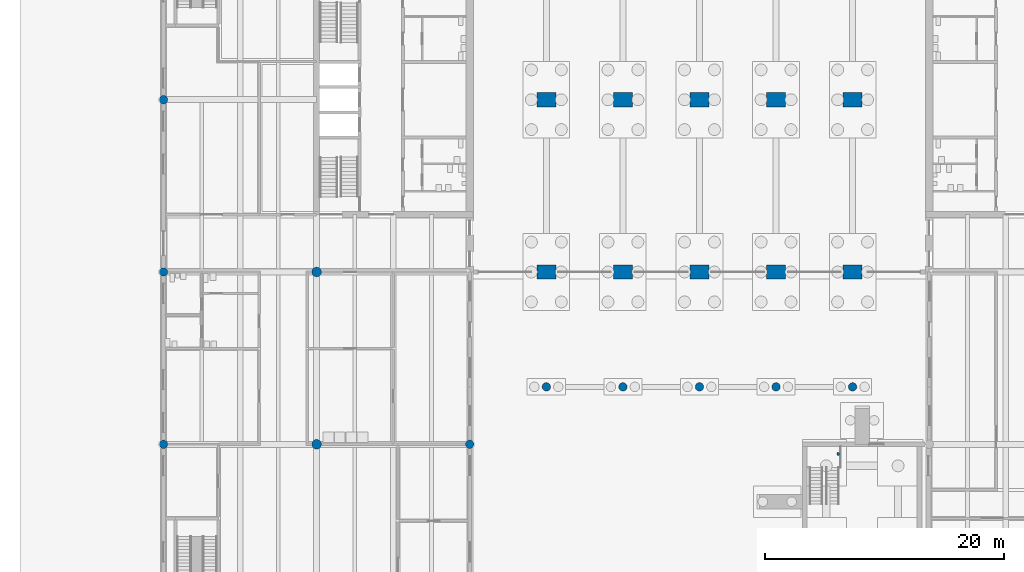
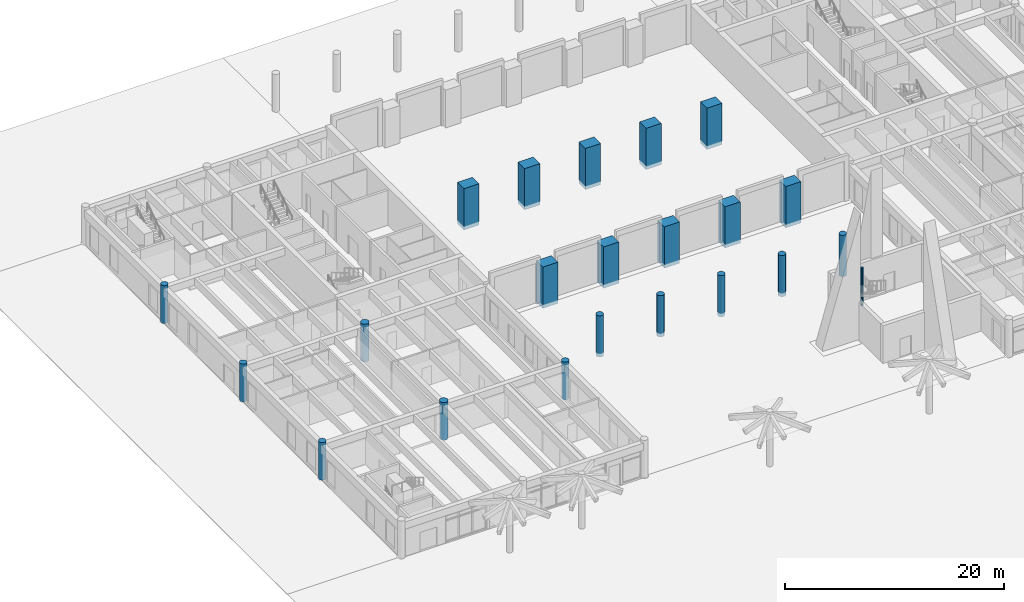
# One storey, part 3 of 28: 22 columns.
"""IFC4 building model written with IfcOpenShell, lengths in metres."""

from ifc_helpers import new_model, si_unit, direction, frame, origin, origin_2d, place, context, subcontext, project, spatial, rectangle, circle, extrude, material, material_profile, profile_set, type_object, element, save


model = new_model("IFC4")

# Units and contexts
model_context = context("Model", 3, precision=1e-05, world=origin(), true_north=direction((0.0, 1.0)))
body_context = subcontext(model_context, "Body", "Model", "MODEL_VIEW")
ifc_project = project(units=[si_unit("LENGTHUNIT", "METRE"), si_unit("AREAUNIT", "SQUARE_METRE"), si_unit("VOLUMEUNIT", "CUBIC_METRE"), si_unit("PLANEANGLEUNIT", "RADIAN"), si_unit("MASSUNIT", "GRAM", prefix="KILO")], contexts=[model_context])

# Site, building, storey
site_placement = place(None, origin())
site = spatial("IfcSite", under=ifc_project, at=site_placement, CompositionType="ELEMENT")
building_placement = place(site_placement, origin())
building = spatial("IfcBuilding", under=site, at=building_placement, Name="Fogon Plaza Fire Station and Headquarters Tower", CompositionType="ELEMENT")
storey_placement = place(building_placement, origin())
storey = spatial("IfcBuildingStorey", under=building, at=storey_placement, Name="L00", CompositionType="ELEMENT", Elevation=0.0)

# Columns
ifc_material_1 = material(Name="Concrete C40", Category="concrete")
ifc_material_profile_1 = material_profile(ifc_material_1, rectangle(XDim=1.60009765625, YDim=1.199951171875, at=origin_2d()), Name="RC 1600x1200")
ifc_profile_set_1 = profile_set([ifc_material_profile_1], Name="Concrete C40")
column_type_1 = type_object("IfcColumnType", Name="COLUMN RC 1600x1200", PredefinedType="PILASTER", material=ifc_profile_set_1)
for number, where, z_axis, x_axis, name in (
    (1, (32.0, 28.800048828125, -0.39990234375), (0.0, 0.0, 1.0), (1.0, 0.0, 0.0), "col-L00-4D"),
    (2, (32.0, 43.199951171875, -0.39990234375), (0.0, 0.0, 1.0), (1.0, 0.0, 0.0), "col-L00-4F"),
    (3, (38.39990234375, 28.800048828125, -0.39990234375), (0.0, 0.0, 1.0), (1.0, 0.0, 0.0), "col-L00-5D"),
    (4, (38.39990234375, 43.199951171875, -0.39990234375), (0.0, 0.0, 1.0), (1.0, 0.0, 0.0), "col-L00-5F"),
    (5, (44.800048828125, 28.800048828125, -0.39990234375), (0.0, 0.0, 1.0), (1.0, 0.0, 0.0), "col-L00-6D"),
    (6, (44.800048828125, 43.199951171875, -0.39990234375), (0.0, 0.0, 1.0), (1.0, 0.0, 0.0), "col-L00-6F"),
    (7, (51.199951171875, 28.800048828125, -0.39990234375), (0.0, 0.0, 1.0), (1.0, 0.0, 0.0), "col-L00-7D"),
    (8, (51.199951171875, 43.199951171875, -0.39990234375), (0.0, 0.0, 1.0), (1.0, 0.0, 0.0), "col-L00-7F"),
    (9, (57.60009765625, 28.800048828125, -0.39990234375), (0.0, 0.0, 1.0), (1.0, 0.0, 0.0), "col-L00-8D"),
    (10, (57.60009765625, 43.199951171875, -0.39990234375), (0.0, 0.0, 1.0), (1.0, 0.0, 0.0), "col-L00-8F"),
):
    element("IfcColumn", number, at=place(storey_placement, frame(where, z_axis=z_axis, x_axis=x_axis)), inside=storey, type_object=column_type_1, Name=name, PredefinedType="PILASTER", context=body_context, shape_type="SweptSolid", body=[
        extrude(rectangle(XDim=1.60009765625, YDim=1.199951171875, at=origin_2d()), origin(), (0.0, 0.0, 1.0), 4.599853515625),
    ])
ifc_material_2 = material(Name="Concrete C40", Category="concrete")
ifc_material_profile_2 = material_profile(ifc_material_2, circle(Radius=0.125, at=origin_2d()), Name="RC D250")
ifc_profile_set_2 = profile_set([ifc_material_profile_2], Name="Concrete C40")
column_type_2 = type_object("IfcColumnType", Name="COLUMN RC D250", PredefinedType="COLUMN", material=ifc_profile_set_2)
column_placement = place(storey_placement, frame((56.39990234375, 13.60009765625, 0.0), z_axis=(0.0, 0.0, 1.0), x_axis=(1.0, 0.0, 0.0)))
element("IfcColumn", 11, at=column_placement, inside=storey, type_object=column_type_2, Name="Drill stair post L00", PredefinedType="COLUMN", context=body_context, shape_type="SweptSolid", body=[
    extrude(circle(Radius=0.125, at=origin_2d()), origin(), (0.0, 0.0, 1.0), 4.199951171875),
])
ifc_material_3 = material(Name="Concrete C40", Category="concrete")
ifc_material_profile_3 = material_profile(ifc_material_3, circle(Radius=0.35009765625, at=origin_2d()), Name="RC D700")
ifc_profile_set_3 = profile_set([ifc_material_profile_3], Name="Concrete C40")
column_type_3 = type_object("IfcColumnType", Name="COLUMN RC D700", PredefinedType="COLUMN", material=ifc_profile_set_3)
for number, where, z_axis, x_axis, name in (
    (12, (0.0, 14.39990234375, 0.0), (0.0, 0.0, 1.0), (1.0, 0.0, 0.0), "col-L00-1B"),
    (13, (0.0, 28.800048828125, 0.0), (0.0, 0.0, 1.0), (1.0, 0.0, 0.0), "col-L00-1D"),
    (14, (0.0, 43.199951171875, 0.0), (0.0, 0.0, 1.0), (1.0, 0.0, 0.0), "col-L00-1F"),
    (15, (25.60009765625, 14.39990234375, 0.0), (0.0, 0.0, 1.0), (1.0, 0.0, 0.0), "col-L00-3B"),
):
    element("IfcColumn", number, at=place(storey_placement, frame(where, z_axis=z_axis, x_axis=x_axis)), inside=storey, type_object=column_type_3, Name=name, PredefinedType="COLUMN", context=body_context, shape_type="SweptSolid", body=[
        extrude(circle(Radius=0.35009765625, at=origin_2d()), origin(), (0.0, 0.0, 1.0), 4.199951171875),
    ])
for number, where, z_axis, x_axis, name in (
    (16, (32.0, 19.199951171875, -0.39990234375), (0.0, 0.0, 1.0), (1.0, 0.0, 0.0), "col-L00-CR4"),
    (17, (38.39990234375, 19.199951171875, -0.39990234375), (0.0, 0.0, 1.0), (1.0, 0.0, 0.0), "col-L00-CR5"),
    (18, (44.800048828125, 19.199951171875, -0.39990234375), (0.0, 0.0, 1.0), (1.0, 0.0, 0.0), "col-L00-CR6"),
    (19, (51.199951171875, 19.199951171875, -0.39990234375), (0.0, 0.0, 1.0), (1.0, 0.0, 0.0), "col-L00-CR7"),
    (20, (57.60009765625, 19.199951171875, -0.39990234375), (0.0, 0.0, 1.0), (1.0, 0.0, 0.0), "col-L00-CR8"),
):
    element("IfcColumn", number, at=place(storey_placement, frame(where, z_axis=z_axis, x_axis=x_axis)), inside=storey, type_object=column_type_3, Name=name, PredefinedType="COLUMN", context=body_context, shape_type="SweptSolid", body=[
        extrude(circle(Radius=0.35009765625, at=origin_2d()), origin(), (0.0, 0.0, 1.0), 4.599853515625),
    ])
ifc_material_4 = material(Name="Concrete C40", Category="concrete")
ifc_material_profile_4 = material_profile(ifc_material_4, circle(Radius=0.39990234375, at=origin_2d()), Name="RC D800")
ifc_profile_set_4 = profile_set([ifc_material_profile_4], Name="Concrete C40")
column_type_4 = type_object("IfcColumnType", Name="COLUMN RC D800", PredefinedType="COLUMN", material=ifc_profile_set_4)
for number, where, z_axis, x_axis, name in (
    (21, (12.800048828125, 14.39990234375, 0.0), (0.0, 0.0, 1.0), (1.0, 0.0, 0.0), "col-L00-2B"),
    (22, (12.800048828125, 28.800048828125, 0.0), (0.0, 0.0, 1.0), (1.0, 0.0, 0.0), "col-L00-2D"),
):
    element("IfcColumn", number, at=place(storey_placement, frame(where, z_axis=z_axis, x_axis=x_axis)), inside=storey, type_object=column_type_4, Name=name, PredefinedType="COLUMN", context=body_context, shape_type="SweptSolid", body=[
        extrude(circle(Radius=0.39990234375, at=origin_2d()), origin(), (0.0, 0.0, 1.0), 4.199951171875),
    ])

save(model, "model.ifc")
